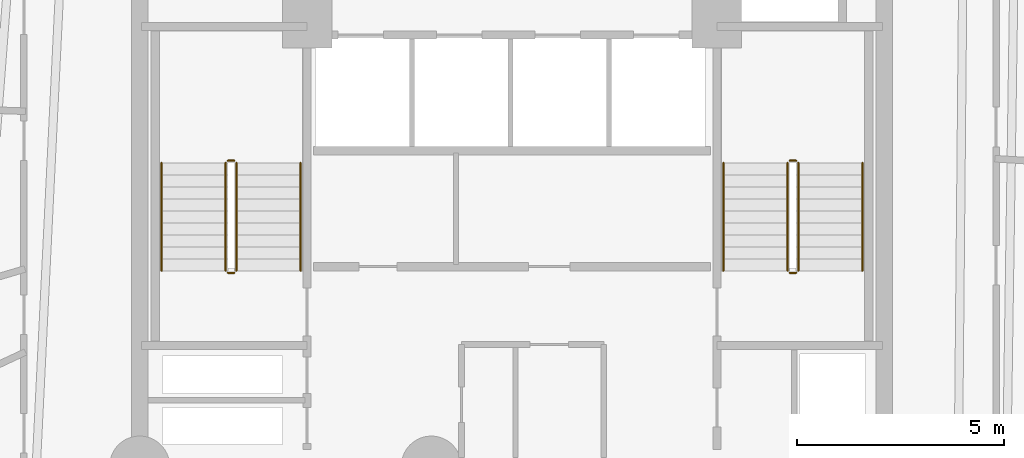
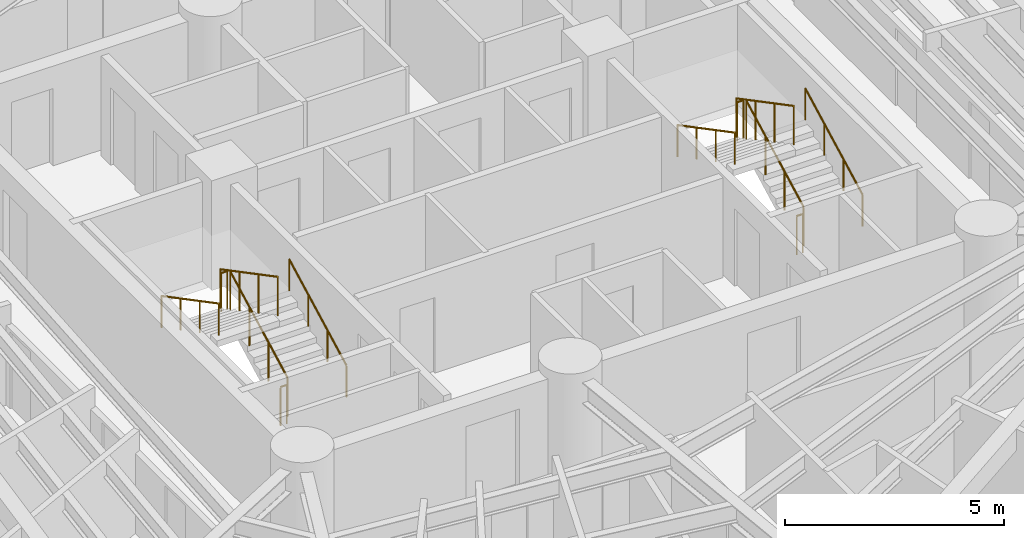
# One storey, part 7 of 7: 12 railings.
"""IFC4 building model written with IfcOpenShell, lengths in metres."""

from ifc_helpers import new_model, si_unit, direction, frame, origin, origin_2d, place, context, subcontext, project, spatial, circle, extrude, material, layer, layer_set, type_object, element, save


model = new_model("IFC4")

# Units and contexts
model_context = context("Model", 3, precision=1e-05, world=origin(), true_north=direction((0.0, 1.0)))
body_context = subcontext(model_context, "Body", "Model", "MODEL_VIEW")
ifc_project = project(units=[si_unit("LENGTHUNIT", "METRE"), si_unit("AREAUNIT", "SQUARE_METRE"), si_unit("VOLUMEUNIT", "CUBIC_METRE"), si_unit("PLANEANGLEUNIT", "RADIAN"), si_unit("MASSUNIT", "GRAM", prefix="KILO")], contexts=[model_context])

# Site, building, storey
site_placement = place(None, origin())
site = spatial("IfcSite", under=ifc_project, at=site_placement, CompositionType="ELEMENT")
building_placement = place(site_placement, origin())
building = spatial("IfcBuilding", under=site, at=building_placement, Name="Karkom Vertical University and Central Library", CompositionType="ELEMENT")
storey_placement = place(building_placement, frame((0.0, 0.0, 145.0)))
storey = spatial("IfcBuildingStorey", under=building, at=storey_placement, Name="L41", CompositionType="ELEMENT", Elevation=145.0)

# Railings
ifc_material_1 = material(Name="Painted galvanised steel balustrade", Category="steel")
ifc_layer_1 = layer(ifc_material_1, 0.06005859375)
ifc_layer_set_1 = layer_set([ifc_layer_1], Name="Painted galvanised steel balustrade")
railing_type_1 = type_object("IfcRailingType", Name="INT-RL-GUARD1100", PredefinedType="GUARDRAIL", material=ifc_layer_set_1)
railing_1_placement = place(storey_placement, frame((21.840087890625, 23.02001953125, 0.152587890625)))
element("IfcRailing", 1, at=railing_1_placement, inside=storey, type_object=railing_type_1, Name="Level 41 ST-1 stair guard 1", PredefinedType="GUARDRAIL", context=body_context, shape_type="SweptSolid", body=[
    extrude(circle(Radius=0.02392578125, at=origin_2d()), frame((0.0, 0.0, 1.076171875), z_axis=(0.0, 0.885099554253, 0.465401739426), x_axis=(-1.0, 0.0, 0.0)), (0.0, 0.0, 1.0), 2.94873046875),
    extrude(circle(Radius=0.02099609375, at=origin_2d()), origin(), (0.0, 0.0, 1.0), 1.052001953125),
    extrude(circle(Radius=0.02099609375, at=origin_2d()), frame((0.0, 0.869873046875, 0.45751953125)), (0.0, 0.0, 1.0), 1.052001953125),
    extrude(circle(Radius=0.02099609375, at=origin_2d()), frame((0.0, 1.739990234375, 0.914794921875)), (0.0, 0.0, 1.0), 1.052001953125),
    extrude(circle(Radius=0.02099609375, at=origin_2d()), frame((0.0, 2.60986328125, 1.372314453125)), (0.0, 0.0, 1.0), 1.052001953125),
])
railing_2_placement = place(storey_placement, frame((21.7900390625, 25.679931640625, 1.52490234375)))
element("IfcRailing", 2, at=railing_2_placement, inside=storey, type_object=railing_type_1, Name="Level 41 ST-1 stair guard 2", PredefinedType="GUARDRAIL", context=body_context, shape_type="SweptSolid", body=[
    extrude(circle(Radius=0.02392578125, at=origin_2d()), frame((0.0, 0.0, 1.076171875), z_axis=(-1.0, 0.0, 0.0), x_axis=(0.0, -1.0, 0.0)), (0.0, 0.0, 1.0), 0.16015625),
    extrude(circle(Radius=0.02099609375, at=origin_2d()), origin(), (0.0, 0.0, 1.0), 1.052001953125),
    extrude(circle(Radius=0.02099609375, at=origin_2d()), frame((-0.16015625, 0.0, 0.0)), (0.0, 0.0, 1.0), 1.052001953125),
])
railing_3_placement = place(storey_placement, frame((21.580078125, 25.6298828125, 1.677490234375)))
element("IfcRailing", 3, at=railing_3_placement, inside=storey, type_object=railing_type_1, Name="Level 41 ST-1 stair guard 3", PredefinedType="GUARDRAIL", context=body_context, shape_type="SweptSolid", body=[
    extrude(circle(Radius=0.02392578125, at=origin_2d()), frame((0.0, 0.0, 1.076171875), z_axis=(0.0, -0.885065446896, 0.46546659892), x_axis=(1.0, 0.0, 0.0)), (0.0, 0.0, 1.0), 2.94873046875),
    extrude(circle(Radius=0.02099609375, at=origin_2d()), origin(), (0.0, 0.0, 1.0), 1.052001953125),
    extrude(circle(Radius=0.02099609375, at=origin_2d()), frame((0.0, -0.869873046875, 0.45751953125)), (0.0, 0.0, 1.0), 1.052001953125),
    extrude(circle(Radius=0.02099609375, at=origin_2d()), frame((0.0, -1.739990234375, 0.9150390625)), (0.0, 0.0, 1.0), 1.052001953125),
    extrude(circle(Radius=0.02099609375, at=origin_2d()), frame((0.0, -2.60986328125, 1.37255859375)), (0.0, 0.0, 1.0), 1.052001953125),
])
railing_4_placement = place(storey_placement, frame((21.7900390625, 22.969970703125, 0.0)))
element("IfcRailing", 4, at=railing_4_placement, inside=storey, type_object=railing_type_1, Name="Level 41 ST-1 stair guard 4", PredefinedType="GUARDRAIL", context=body_context, shape_type="SweptSolid", body=[
    extrude(circle(Radius=0.02392578125, at=origin_2d()), frame((0.0, 0.0, 1.076171875), z_axis=(-1.0, 0.0, 0.0), x_axis=(0.0, -1.0, 0.0)), (0.0, 0.0, 1.0), 0.16015625),
    extrude(circle(Radius=0.02099609375, at=origin_2d()), origin(), (0.0, 0.0, 1.0), 1.052001953125),
    extrude(circle(Radius=0.02099609375, at=origin_2d()), frame((-0.16015625, 0.0, 0.0)), (0.0, 0.0, 1.0), 1.052001953125),
])
railing_5_placement = place(storey_placement, frame((35.419921875, 23.02001953125, 0.152587890625)))
element("IfcRailing", 5, at=railing_5_placement, inside=storey, type_object=railing_type_1, Name="Level 41 ST-2 stair guard 1", PredefinedType="GUARDRAIL", context=body_context, shape_type="SweptSolid", body=[
    extrude(circle(Radius=0.02392578125, at=origin_2d()), frame((0.0, 0.0, 1.076171875), z_axis=(0.0, 0.885099554253, 0.465401739426), x_axis=(-1.0, 0.0, 0.0)), (0.0, 0.0, 1.0), 2.94873046875),
    extrude(circle(Radius=0.02099609375, at=origin_2d()), origin(), (0.0, 0.0, 1.0), 1.052001953125),
    extrude(circle(Radius=0.02099609375, at=origin_2d()), frame((0.0, 0.869873046875, 0.45751953125)), (0.0, 0.0, 1.0), 1.052001953125),
    extrude(circle(Radius=0.02099609375, at=origin_2d()), frame((0.0, 1.739990234375, 0.914794921875)), (0.0, 0.0, 1.0), 1.052001953125),
    extrude(circle(Radius=0.02099609375, at=origin_2d()), frame((0.0, 2.60986328125, 1.372314453125)), (0.0, 0.0, 1.0), 1.052001953125),
])
railing_6_placement = place(storey_placement, frame((35.3701171875, 25.679931640625, 1.52490234375)))
element("IfcRailing", 6, at=railing_6_placement, inside=storey, type_object=railing_type_1, Name="Level 41 ST-2 stair guard 2", PredefinedType="GUARDRAIL", context=body_context, shape_type="SweptSolid", body=[
    extrude(circle(Radius=0.02392578125, at=origin_2d()), frame((0.0, 0.0, 1.076171875), z_axis=(-1.0, 0.0, 0.0), x_axis=(0.0, -1.0, 0.0)), (0.0, 0.0, 1.0), 0.16015625),
    extrude(circle(Radius=0.02099609375, at=origin_2d()), origin(), (0.0, 0.0, 1.0), 1.052001953125),
    extrude(circle(Radius=0.02099609375, at=origin_2d()), frame((-0.16015625, 0.0, 0.0)), (0.0, 0.0, 1.0), 1.052001953125),
])
railing_7_placement = place(storey_placement, frame((35.159912109375, 25.6298828125, 1.677490234375)))
element("IfcRailing", 7, at=railing_7_placement, inside=storey, type_object=railing_type_1, Name="Level 41 ST-2 stair guard 3", PredefinedType="GUARDRAIL", context=body_context, shape_type="SweptSolid", body=[
    extrude(circle(Radius=0.02392578125, at=origin_2d()), frame((0.0, 0.0, 1.076171875), z_axis=(0.0, -0.885065446896, 0.46546659892), x_axis=(1.0, 0.0, 0.0)), (0.0, 0.0, 1.0), 2.94873046875),
    extrude(circle(Radius=0.02099609375, at=origin_2d()), origin(), (0.0, 0.0, 1.0), 1.052001953125),
    extrude(circle(Radius=0.02099609375, at=origin_2d()), frame((0.0, -0.869873046875, 0.45751953125)), (0.0, 0.0, 1.0), 1.052001953125),
    extrude(circle(Radius=0.02099609375, at=origin_2d()), frame((0.0, -1.739990234375, 0.9150390625)), (0.0, 0.0, 1.0), 1.052001953125),
    extrude(circle(Radius=0.02099609375, at=origin_2d()), frame((0.0, -2.60986328125, 1.37255859375)), (0.0, 0.0, 1.0), 1.052001953125),
])
railing_8_placement = place(storey_placement, frame((35.3701171875, 22.969970703125, 0.0)))
element("IfcRailing", 8, at=railing_8_placement, inside=storey, type_object=railing_type_1, Name="Level 41 ST-2 stair guard 4", PredefinedType="GUARDRAIL", context=body_context, shape_type="SweptSolid", body=[
    extrude(circle(Radius=0.02392578125, at=origin_2d()), frame((0.0, 0.0, 1.076171875), z_axis=(-1.0, 0.0, 0.0), x_axis=(0.0, -1.0, 0.0)), (0.0, 0.0, 1.0), 0.16015625),
    extrude(circle(Radius=0.02099609375, at=origin_2d()), origin(), (0.0, 0.0, 1.0), 1.052001953125),
    extrude(circle(Radius=0.02099609375, at=origin_2d()), frame((-0.16015625, 0.0, 0.0)), (0.0, 0.0, 1.0), 1.052001953125),
])
ifc_material_2 = material(Name="Brushed stainless-steel tubular handrail", Category="steel")
ifc_layer_2 = layer(ifc_material_2, 0.048095703125)
ifc_layer_set_2 = layer_set([ifc_layer_2], Name="Brushed stainless-steel tubular handrail")
railing_type_2 = type_object("IfcRailingType", Name="INT-RL-HAND920", PredefinedType="HANDRAIL", material=ifc_layer_set_2)
railing_9_placement = place(storey_placement, frame((23.389892578125, 23.02001953125, 0.152587890625)))
element("IfcRailing", 9, at=railing_9_placement, inside=storey, type_object=railing_type_2, Name="Level 41 ST-1 stair handrail 1", PredefinedType="HANDRAIL", context=body_context, shape_type="SweptSolid", body=[
    extrude(circle(Radius=0.02392578125, at=origin_2d()), frame((0.0, 0.0, 0.8759765625), z_axis=(0.0, 0.885099554253, 0.465401739426), x_axis=(-1.0, 0.0, 0.0)), (0.0, 0.0, 1.0), 2.94873046875),
    extrude(circle(Radius=0.02099609375, at=origin_2d()), origin(), (0.0, 0.0, 1.0), 0.851806640625),
    extrude(circle(Radius=0.02099609375, at=origin_2d()), frame((0.0, 0.869873046875, 0.45751953125)), (0.0, 0.0, 1.0), 0.851806640625),
    extrude(circle(Radius=0.02099609375, at=origin_2d()), frame((0.0, 1.739990234375, 0.914794921875)), (0.0, 0.0, 1.0), 0.851806640625),
    extrude(circle(Radius=0.02099609375, at=origin_2d()), frame((0.0, 2.60986328125, 1.372314453125)), (0.0, 0.0, 1.0), 0.851806640625),
])
railing_10_placement = place(storey_placement, frame((20.030029296875, 25.6298828125, 1.677490234375)))
element("IfcRailing", 10, at=railing_10_placement, inside=storey, type_object=railing_type_2, Name="Level 41 ST-1 stair handrail 2", PredefinedType="HANDRAIL", context=body_context, shape_type="SweptSolid", body=[
    extrude(circle(Radius=0.02392578125, at=origin_2d()), frame((0.0, 0.0, 0.8759765625), z_axis=(0.0, -0.885065446896, 0.46546659892), x_axis=(1.0, 0.0, 0.0)), (0.0, 0.0, 1.0), 2.94873046875),
    extrude(circle(Radius=0.02099609375, at=origin_2d()), origin(), (0.0, 0.0, 1.0), 0.851806640625),
    extrude(circle(Radius=0.02099609375, at=origin_2d()), frame((0.0, -0.869873046875, 0.45751953125)), (0.0, 0.0, 1.0), 0.851806640625),
    extrude(circle(Radius=0.02099609375, at=origin_2d()), frame((0.0, -1.739990234375, 0.9150390625)), (0.0, 0.0, 1.0), 0.851806640625),
    extrude(circle(Radius=0.02099609375, at=origin_2d()), frame((0.0, -2.60986328125, 1.37255859375)), (0.0, 0.0, 1.0), 0.851806640625),
])
railing_11_placement = place(storey_placement, frame((36.969970703125, 23.02001953125, 0.152587890625)))
element("IfcRailing", 11, at=railing_11_placement, inside=storey, type_object=railing_type_2, Name="Level 41 ST-2 stair handrail 1", PredefinedType="HANDRAIL", context=body_context, shape_type="SweptSolid", body=[
    extrude(circle(Radius=0.02392578125, at=origin_2d()), frame((0.0, 0.0, 0.8759765625), z_axis=(0.0, 0.885099554253, 0.465401739426), x_axis=(-1.0, 0.0, 0.0)), (0.0, 0.0, 1.0), 2.94873046875),
    extrude(circle(Radius=0.02099609375, at=origin_2d()), origin(), (0.0, 0.0, 1.0), 0.851806640625),
    extrude(circle(Radius=0.02099609375, at=origin_2d()), frame((0.0, 0.869873046875, 0.45751953125)), (0.0, 0.0, 1.0), 0.851806640625),
    extrude(circle(Radius=0.02099609375, at=origin_2d()), frame((0.0, 1.739990234375, 0.914794921875)), (0.0, 0.0, 1.0), 0.851806640625),
    extrude(circle(Radius=0.02099609375, at=origin_2d()), frame((0.0, 2.60986328125, 1.372314453125)), (0.0, 0.0, 1.0), 0.851806640625),
])
railing_12_placement = place(storey_placement, frame((33.610107421875, 25.6298828125, 1.677490234375)))
element("IfcRailing", 12, at=railing_12_placement, inside=storey, type_object=railing_type_2, Name="Level 41 ST-2 stair handrail 2", PredefinedType="HANDRAIL", context=body_context, shape_type="SweptSolid", body=[
    extrude(circle(Radius=0.02392578125, at=origin_2d()), frame((0.0, 0.0, 0.8759765625), z_axis=(0.0, -0.885065446896, 0.46546659892), x_axis=(1.0, 0.0, 0.0)), (0.0, 0.0, 1.0), 2.94873046875),
    extrude(circle(Radius=0.02099609375, at=origin_2d()), origin(), (0.0, 0.0, 1.0), 0.851806640625),
    extrude(circle(Radius=0.02099609375, at=origin_2d()), frame((0.0, -0.869873046875, 0.45751953125)), (0.0, 0.0, 1.0), 0.851806640625),
    extrude(circle(Radius=0.02099609375, at=origin_2d()), frame((0.0, -1.739990234375, 0.9150390625)), (0.0, 0.0, 1.0), 0.851806640625),
    extrude(circle(Radius=0.02099609375, at=origin_2d()), frame((0.0, -2.60986328125, 1.37255859375)), (0.0, 0.0, 1.0), 0.851806640625),
])

save(model, "model.ifc")
